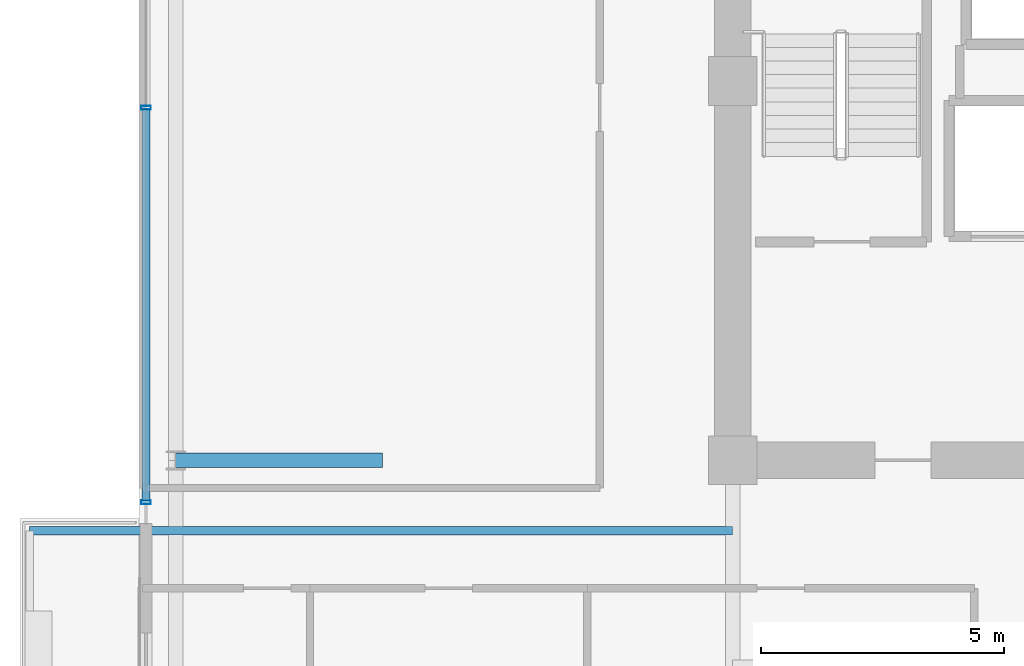
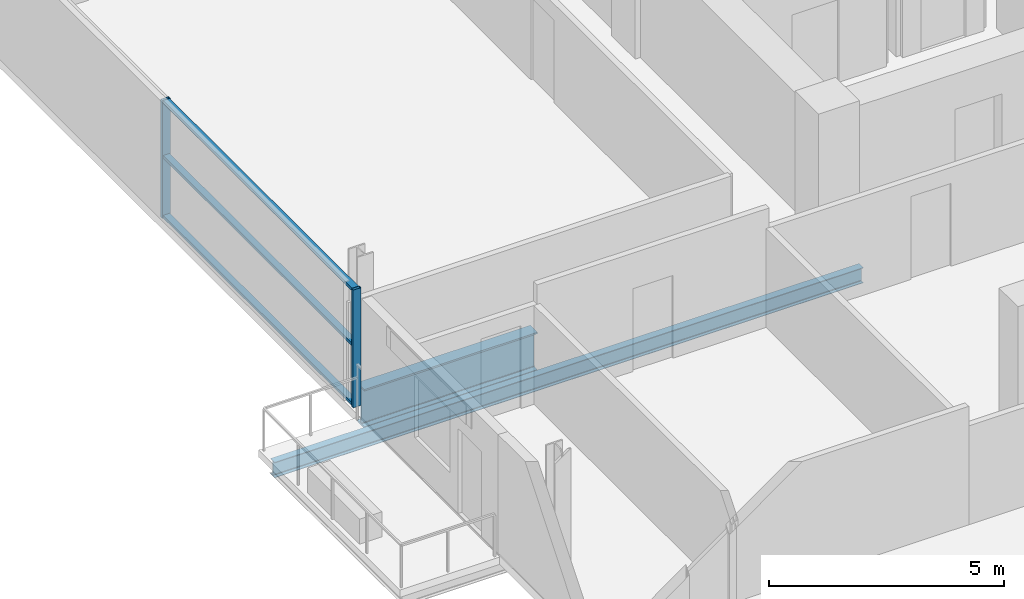
# One storey, part 5 of 23: 5 members, 2 beams, 1 element without a shape of its own.
"""IFC4 building model written with IfcOpenShell, lengths in metres."""

from ifc_helpers import new_model, si_unit, direction, frame, origin, origin_2d, place, context, subcontext, project, spatial, hollow_rectangle, i_section, extrude, source, transform, mapped, material, layer, layer_set, material_profile, profile_set, type_object, element, aggregate, save


model = new_model("IFC4")

# Units and contexts
model_context = context("Model", 3, precision=1e-05, world=origin(), true_north=direction((0.0, 1.0)))
body_context = subcontext(model_context, "Body", "Model", "MODEL_VIEW")
ifc_project = project(units=[si_unit("LENGTHUNIT", "METRE"), si_unit("AREAUNIT", "SQUARE_METRE"), si_unit("VOLUMEUNIT", "CUBIC_METRE"), si_unit("PLANEANGLEUNIT", "RADIAN"), si_unit("MASSUNIT", "GRAM", prefix="KILO")], contexts=[model_context])

# Site, building, storey
site_placement = place(None, origin())
site = spatial("IfcSite", under=ifc_project, at=site_placement, CompositionType="ELEMENT")
building_placement = place(site_placement, origin())
building = spatial("IfcBuilding", under=site, at=building_placement, Name="Zarnakvel Exchange Tower", CompositionType="ELEMENT")
storey_placement = place(building_placement, frame((0.0, 0.0, 146.199951171875)))
storey = spatial("IfcBuildingStorey", under=building, at=storey_placement, Name="L40", CompositionType="ELEMENT", Elevation=146.199951171875)

# Beams
ifc_material_1 = material(Name="Steel S355", Category="steel")
ifc_material_profile_1 = material_profile(ifc_material_1, i_section(OverallWidth=0.179931640625, OverallDepth=0.39990234375, WebThickness=0.008544921875, FlangeThickness=0.013427734375, FilletRadius=0.02099609375, at=origin_2d()))
ifc_profile_set_1 = profile_set([ifc_material_profile_1], Name="Steel S355")
beam_type_1 = type_object("IfcBeamType", Name="B-06", PredefinedType="JOIST", material=ifc_profile_set_1)
beam_1_placement = place(storey_placement, frame((-14.39990234375, -2.64990234375, -0.425048828125), z_axis=(-1.0, 0.0, 0.0), x_axis=(0.0, -1.0, 0.0)))
element("IfcBeam", 1, at=beam_1_placement, inside=storey, type_object=beam_type_1, Name="L40 Continuous West Loggia Beam N", PredefinedType="JOIST", context=body_context, shape_type="SweptSolid", body=[
    extrude(i_section(OverallWidth=0.179931640625, OverallDepth=0.39990234375, WebThickness=0.008544921875, FlangeThickness=0.013427734375, FilletRadius=0.02099609375, at=origin_2d()), origin(), (0.0, 0.0, 1.0), 14.4501953125),
])
ifc_material_2 = material(Name="Steel S460", Category="steel")
ifc_material_profile_2 = material_profile(ifc_material_2, i_section(OverallWidth=0.302001953125, OverallDepth=1.008056640625, WebThickness=0.02099609375, FlangeThickness=0.0400390625, FilletRadius=0.030029296875, at=origin_2d()))
ifc_profile_set_2 = profile_set([ifc_material_profile_2], Name="Steel S460")
beam_type_2 = type_object("IfcBeamType", Name="TG-05", PredefinedType="BEAM", material=ifc_profile_set_2)
beam_2_placement = place(storey_placement, frame((-25.85009765625, -1.199951171875, -0.72900390625), z_axis=(1.0, 0.0, 0.0), x_axis=(0.0, 1.0, 0.0)))
element("IfcBeam", 2, at=beam_2_placement, inside=storey, type_object=beam_type_2, Name="L40 Block-Shift Continuous Transfer TW-D", PredefinedType="BEAM", context=body_context, shape_type="SweptSolid", body=[
    extrude(i_section(OverallWidth=0.302001953125, OverallDepth=1.008056640625, WebThickness=0.02099609375, FlangeThickness=0.0400390625, FilletRadius=0.030029296875, at=origin_2d()), origin(), (0.0, 0.0, 1.0), 4.25),
])

# Curtain wall, members
ifc_material_3 = material(Name="Architectural Bronze Anodised Aluminium", Category="aluminium")
ifc_layer = layer(ifc_material_3, 0.199951171875)
ifc_layer_set = layer_set([ifc_layer], Name="Architectural Bronze Anodised Aluminium")
curtain_wall_type = type_object("IfcCurtainWallType", Name="CW-04", PredefinedType="NOTDEFINED", material=ifc_layer_set)
curtain_wall_placement = place(storey_placement, origin())
curtain_wall = element("IfcCurtainWall", 3, at=curtain_wall_placement, inside=storey, type_object=curtain_wall_type, Name="L40 Curtain Wall CW-L40-WN (CW-04)", PredefinedType="NOTDEFINED")
ifc_material_profile_3 = material_profile(ifc_material_3, hollow_rectangle(XDim=0.199951171875, YDim=0.074951171875, WallThickness=0.0048828125, at=origin_2d()))
ifc_profile_set_3 = profile_set([ifc_material_profile_3], Name="Architectural Bronze Anodised Aluminium")
member_type_1 = type_object("IfcMemberType", Name="CWM-04", PredefinedType="MULLION", material=ifc_profile_set_3)
shared_shape_1 = source(origin(), body_context, "Body", "SweptSolid", [
    extrude(hollow_rectangle(XDim=0.199951171875, YDim=0.074951171875, WallThickness=0.0048828125, at=origin_2d()), origin(), (0.0, 0.0, 1.0), 3.054931640625),
])
member_1_placement = place(storey_placement, frame((-26.4599609375, -2.0625, 0.0), z_axis=(0.0, 0.0, 1.0), x_axis=(-1.0, 0.0, 0.0)))
member_1 = element("IfcMember", 4, at=member_1_placement, type_object=member_type_1, Name="CW-04 mullion 1", PredefinedType="MULLION", context=body_context, shape_type="MappedRepresentation", body=[
    mapped(shared_shape_1, transform((0.0, 0.0, 0.0), x_axis=(1.0, 0.0, 0.0), y_axis=(0.0, 1.0, 0.0), z_axis=(0.0, 0.0, 1.0), scale=1.0)),
])
member_2_placement = place(storey_placement, frame((-26.4599609375, 6.050048828125, 0.0), z_axis=(0.0, 0.0, 1.0), x_axis=(-1.0, 0.0, 0.0)))
member_2 = element("IfcMember", 5, at=member_2_placement, type_object=member_type_1, Name="CW-04 mullion 2", PredefinedType="MULLION", context=body_context, shape_type="MappedRepresentation", body=[
    mapped(shared_shape_1, transform((0.0, 0.0, 0.0), x_axis=(1.0, 0.0, 0.0), y_axis=(0.0, 1.0, 0.0), z_axis=(0.0, 0.0, 1.0), scale=1.0)),
])
ifc_material_profile_4 = material_profile(ifc_material_3, hollow_rectangle(XDim=0.159912109375, YDim=0.074951171875, WallThickness=0.00390625, at=origin_2d()))
ifc_profile_set_4 = profile_set([ifc_material_profile_4], Name="Architectural Bronze Anodised Aluminium")
member_type_2 = type_object("IfcMemberType", Name="CWT-04", PredefinedType="USERDEFINED", material=ifc_profile_set_4)
shared_shape_2 = source(origin(), body_context, "Body", "SweptSolid", [
    extrude(hollow_rectangle(XDim=0.159912109375, YDim=0.074951171875, WallThickness=0.00390625, at=origin_2d()), origin(), (0.0, 0.0, 1.0), 8.037353515625),
])
member_3_placement = place(storey_placement, frame((-26.4599609375, -2.02490234375, 0.03759765625), z_axis=(0.0, 1.0, 0.0), x_axis=(-1.0, 0.0, 0.0)))
member_3 = element("IfcMember", 6, at=member_3_placement, type_object=member_type_2, Name="CW-04 transom 1.1", ObjectType="TRANSOM", PredefinedType="USERDEFINED", context=body_context, shape_type="MappedRepresentation", body=[
    mapped(shared_shape_2, transform((0.0, 0.0, 0.0), x_axis=(1.0, 0.0, 0.0), y_axis=(0.0, 1.0, 0.0), z_axis=(0.0, 0.0, 1.0), scale=1.0)),
])
member_4_placement = place(storey_placement, frame((-26.4599609375, -2.02490234375, 1.588623046875), z_axis=(0.0, 1.0, 0.0), x_axis=(-1.0, 0.0, 0.0)))
member_4 = element("IfcMember", 7, at=member_4_placement, type_object=member_type_2, Name="CW-04 transom 1.2", ObjectType="TRANSOM", PredefinedType="USERDEFINED", context=body_context, shape_type="MappedRepresentation", body=[
    mapped(shared_shape_2, transform((0.0, 0.0, 0.0), x_axis=(1.0, 0.0, 0.0), y_axis=(0.0, 1.0, 0.0), z_axis=(0.0, 0.0, 1.0), scale=1.0)),
])
member_5_placement = place(storey_placement, frame((-26.4599609375, -2.02490234375, 3.017578125), z_axis=(0.0, 1.0, 0.0), x_axis=(-1.0, 0.0, 0.0)))
member_5 = element("IfcMember", 8, at=member_5_placement, type_object=member_type_2, Name="CW-04 transom 1.3", ObjectType="TRANSOM", PredefinedType="USERDEFINED", context=body_context, shape_type="MappedRepresentation", body=[
    mapped(shared_shape_2, transform((0.0, 0.0, 0.0), x_axis=(1.0, 0.0, 0.0), y_axis=(0.0, 1.0, 0.0), z_axis=(0.0, 0.0, 1.0), scale=1.0)),
])
aggregate(curtain_wall, [member_1, member_2, member_3, member_4, member_5])

save(model, "model.ifc")
